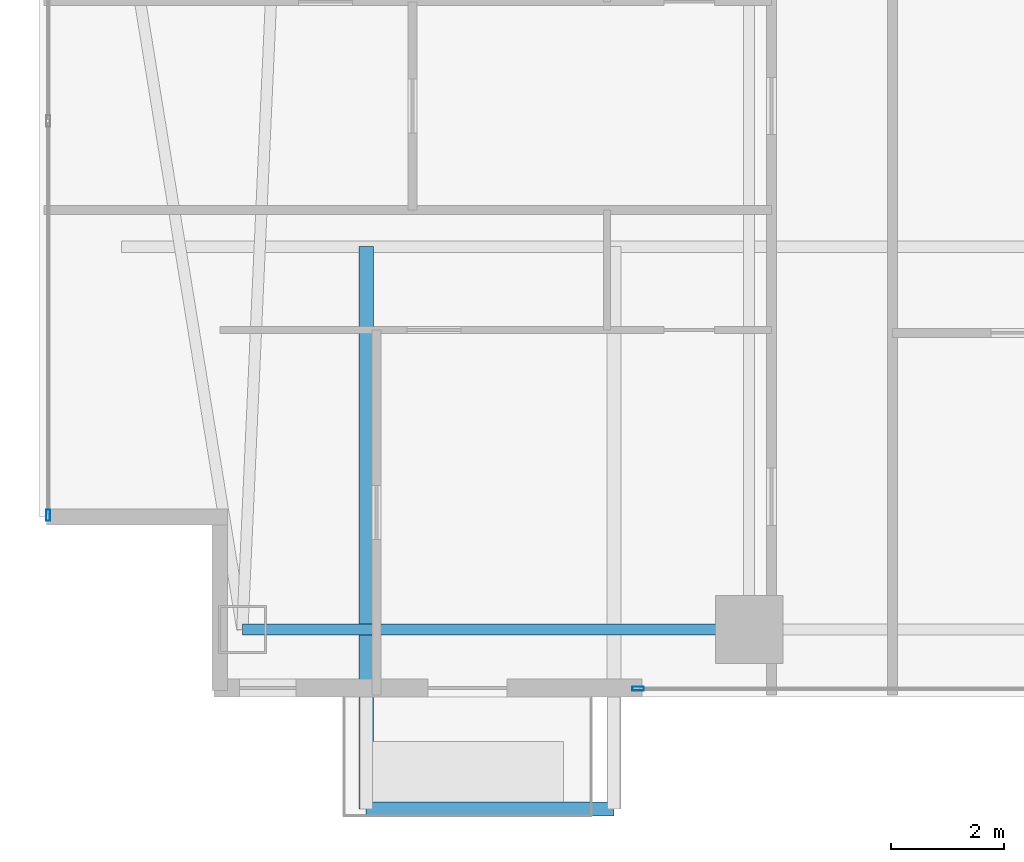
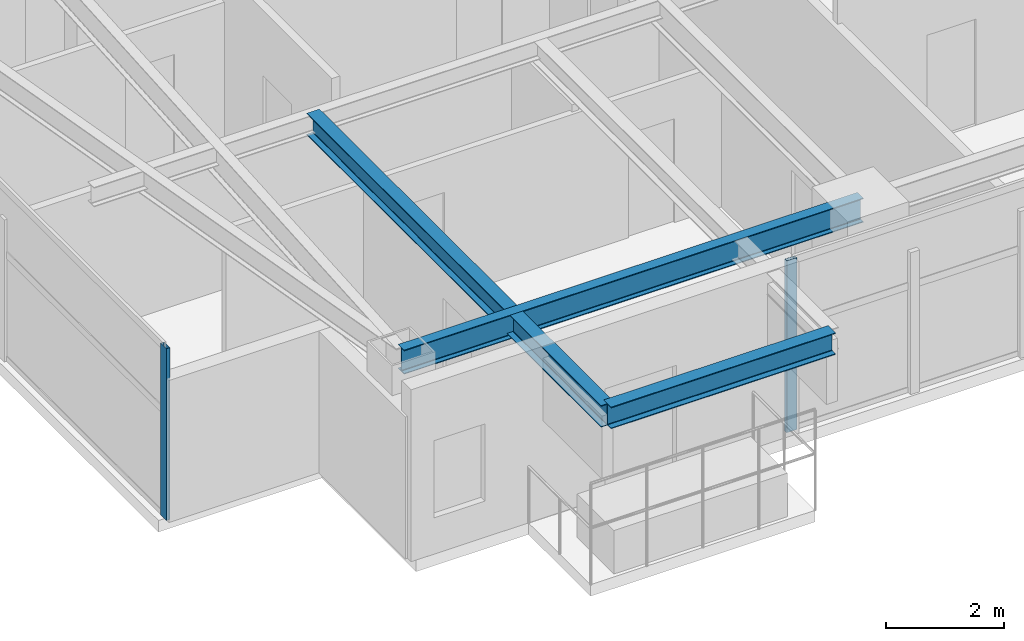
# One storey, part 2 of 29: 3 beams, 2 members, 2 elements without a shape of their own.
"""IFC4 building model written with IfcOpenShell, lengths in metres."""

from ifc_helpers import new_model, si_unit, direction, frame, origin, origin_2d, place, context, subcontext, project, spatial, hollow_rectangle, i_section, extrude, material, layer, layer_set, material_profile, profile_set, type_object, element, aggregate, save


model = new_model("IFC4")

# Units and contexts
model_context = context("Model", 3, precision=1e-05, world=origin(), true_north=direction((0.0, 1.0)))
body_context = subcontext(model_context, "Body", "Model", "MODEL_VIEW")
ifc_project = project(units=[si_unit("LENGTHUNIT", "METRE"), si_unit("AREAUNIT", "SQUARE_METRE"), si_unit("VOLUMEUNIT", "CUBIC_METRE"), si_unit("PLANEANGLEUNIT", "RADIAN"), si_unit("MASSUNIT", "GRAM", prefix="KILO")], contexts=[model_context])

# Site, building, storey
site_placement = place(None, origin())
site = spatial("IfcSite", under=ifc_project, at=site_placement, CompositionType="ELEMENT")
building_placement = place(site_placement, origin())
building = spatial("IfcBuilding", under=site, at=building_placement, Name="Calvorn Quay Hotel", CompositionType="ELEMENT")
storey_placement = place(building_placement, frame((0.0, 0.0, 148.5)))
storey = spatial("IfcBuildingStorey", under=building, at=storey_placement, Name="L36", CompositionType="ELEMENT", Elevation=148.5)

# Beams
ifc_material_1 = material(Name="Steel Q355B", Category="steel")
ifc_material_profile_1 = material_profile(ifc_material_1, i_section(OverallWidth=0.25, OverallDepth=0.449951171875, WebThickness=0.011962890625, FlangeThickness=0.01611328125, FilletRadius=0.01611328125, at=origin_2d()), Name="HN450x250x12x16")
ifc_profile_set_1 = profile_set([ifc_material_profile_1], Name="Steel Q355B")
beam_type_1 = type_object("IfcBeamType", Name="BM-CANT-BALC", PredefinedType="BEAM", material=ifc_profile_set_1)
beam_1_placement = place(storey_placement, frame((5.800048828125, 10.39990234375, 3.31494140625), z_axis=(0.0, -1.0, 0.0), x_axis=(1.0, 0.0, 0.0)))
element("IfcBeam", 1, at=beam_1_placement, inside=storey, type_object=beam_type_1, Name="Cantilever Balcony Beam BCB-L37-2A", PredefinedType="BEAM", context=body_context, shape_type="SweptSolid", body=[
    extrude(i_section(OverallWidth=0.25, OverallDepth=0.449951171875, WebThickness=0.011962890625, FlangeThickness=0.01611328125, FilletRadius=0.01611328125, at=origin_2d()), origin(), (0.0, 0.0, 1.0), 9.989990234375),
])
beam_2_placement = place(storey_placement, frame((5.800048828125, 0.409912109375, 3.31494140625), z_axis=(1.0, 0.0, 0.0), x_axis=(0.0, 1.0, 0.0)))
element("IfcBeam", 2, at=beam_2_placement, inside=storey, type_object=beam_type_1, Name="Beam BCBO-L37-2", PredefinedType="BEAM", context=body_context, shape_type="SweptSolid", body=[
    extrude(i_section(OverallWidth=0.25, OverallDepth=0.449951171875, WebThickness=0.011962890625, FlangeThickness=0.01611328125, FilletRadius=0.01611328125, at=origin_2d()), origin(), (0.0, 0.0, 1.0), 4.39990234375),
])
ifc_material_2 = material(Name="Steel Q355B", Category="steel")
ifc_material_profile_2 = material_profile(ifc_material_2, i_section(OverallWidth=0.199951171875, OverallDepth=0.5, WebThickness=0.010009765625, FlangeThickness=0.01611328125, FilletRadius=0.01611328125, at=origin_2d()), Name="HN500x200x10x16")
ifc_profile_set_2 = profile_set([ifc_material_profile_2], Name="Steel Q355B")
beam_type_2 = type_object("IfcBeamType", Name="BM-SPANDREL-Z1", PredefinedType="SPANDREL", material=ifc_profile_set_2)
beam_3_placement = place(storey_placement, frame((3.60009765625, 3.60009765625, 3.2900390625), z_axis=(1.0, 0.0, 0.0), x_axis=(0.0, 1.0, 0.0)))
element("IfcBeam", 3, at=beam_3_placement, inside=storey, type_object=beam_type_2, Name="Beam BSP-L36-S1", PredefinedType="SPANDREL", context=body_context, shape_type="SweptSolid", body=[
    extrude(i_section(OverallWidth=0.199951171875, OverallDepth=0.5, WebThickness=0.010009765625, FlangeThickness=0.01611328125, FilletRadius=0.01611328125, at=origin_2d()), origin(), (0.0, 0.0, 1.0), 9.0),
])

# Curtain wall, member
ifc_material_3 = material(Name="Pale Anodised Aluminium and Low-E Glass", Category="aluminium")
ifc_layer = layer(ifc_material_3, 0.219970703125)
ifc_layer_set = layer_set([ifc_layer], Name="CW-SYS-Z2")
curtain_wall_type = type_object("IfcCurtainWallType", Name="CW-SYS-Z2", PredefinedType="NOTDEFINED", material=ifc_layer_set)
curtain_wall_1_placement = place(storey_placement, origin())
curtain_wall_1 = element("IfcCurtainWall", 4, at=curtain_wall_1_placement, inside=storey, type_object=curtain_wall_type, Name="Tower West Curtain Wall (L36)", PredefinedType="NOTDEFINED")
ifc_material_4 = material(Name="Pale Anodised Aluminium 6063-T6", Category="aluminium")
ifc_material_profile_3 = material_profile(ifc_material_4, hollow_rectangle(XDim=0.070068359375, YDim=0.199951171875, WallThickness=0.00390625, at=origin_2d()), Name="ALU-M200x70x4")
ifc_profile_set_3 = profile_set([ifc_material_profile_3], Name="Pale Anodised Aluminium 6063-T6")
member_type = type_object("IfcMemberType", Name="CW-SYS-Z2-MUL", PredefinedType="MULLION", material=ifc_profile_set_3)
member_1_placement = place(storey_placement, frame((0.14990234375, 5.6298828125, 0.0), z_axis=(0.0, 0.0, 1.0), x_axis=(-1.0, 0.0, 0.0)))
member_1 = element("IfcMember", 5, at=member_1_placement, type_object=member_type, Name="CW-L36-W mullion 1", PredefinedType="MULLION", context=body_context, shape_type="SweptSolid", body=[
    extrude(hollow_rectangle(XDim=0.070068359375, YDim=0.199951171875, WallThickness=0.00390625, at=origin_2d()), origin(), (0.0, 0.0, 1.0), 3.56005859375),
])
aggregate(curtain_wall_1, [member_1])

curtain_wall_2_placement = place(storey_placement, origin())
curtain_wall_2 = element("IfcCurtainWall", 6, at=curtain_wall_2_placement, inside=storey, type_object=curtain_wall_type, Name="Tower South Waterfront Curtain Wall (L36)", PredefinedType="NOTDEFINED")
member_2_placement = place(storey_placement, frame((10.6298828125, 2.550048828125, 0.0), z_axis=(0.0, 0.0, 1.0), x_axis=(0.0, 1.0, 0.0)))
member_2 = element("IfcMember", 7, at=member_2_placement, type_object=member_type, Name="CW-L36-S mullion 1", PredefinedType="MULLION", context=body_context, shape_type="SweptSolid", body=[
    extrude(hollow_rectangle(XDim=0.070068359375, YDim=0.199951171875, WallThickness=0.00390625, at=origin_2d()), origin(), (0.0, 0.0, 1.0), 3.56005859375),
])
aggregate(curtain_wall_2, [member_2])

save(model, "model.ifc")
